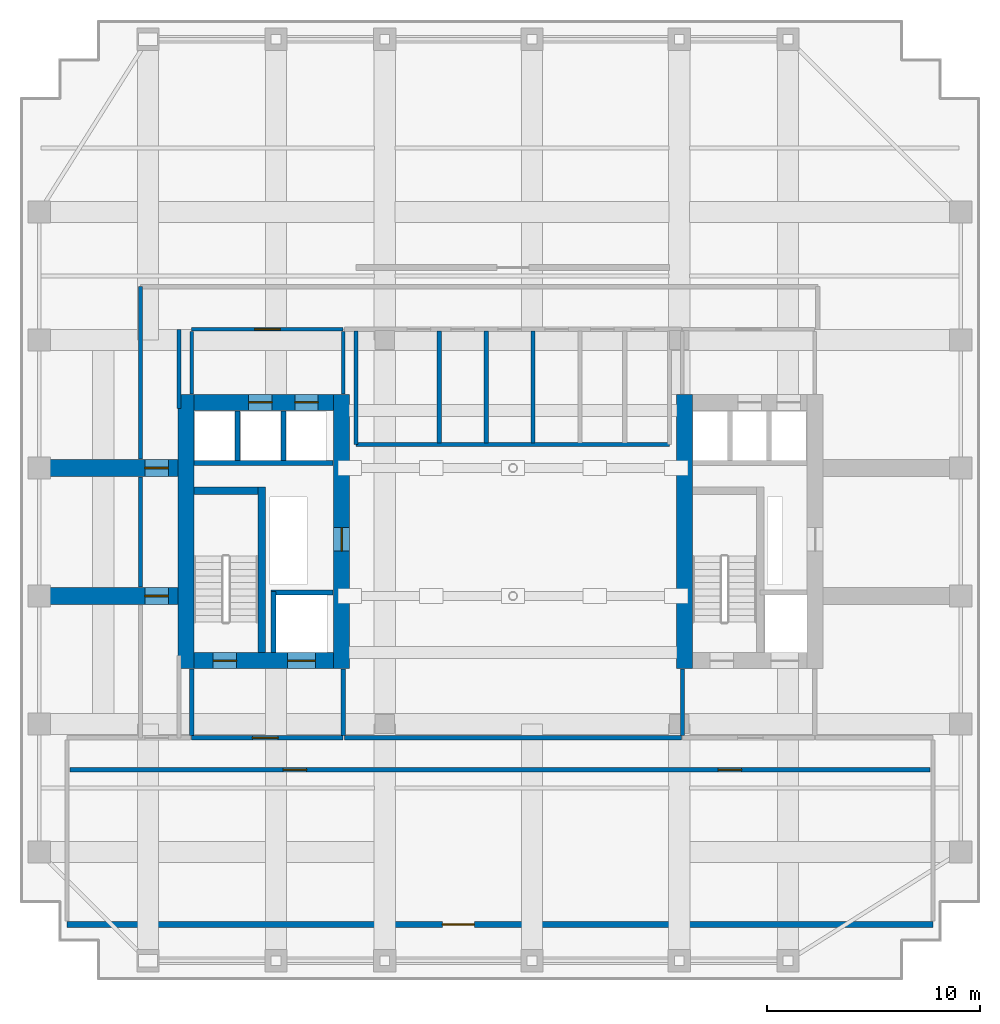
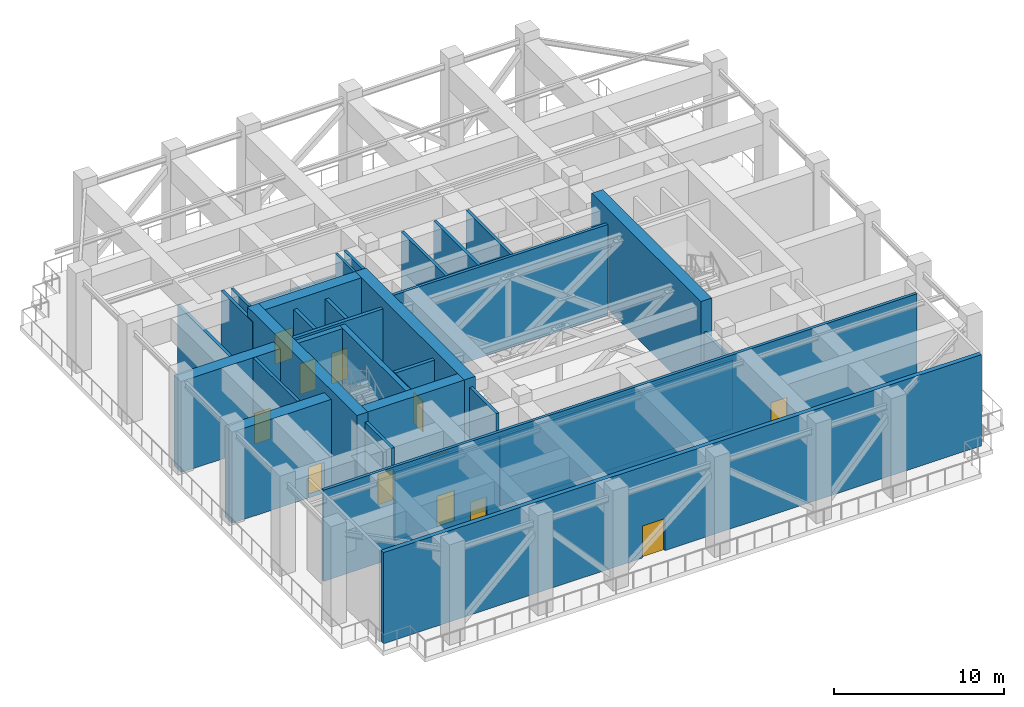
# One storey, part 4 of 10: 32 walls, 12 doors, 12 openings.
"""IFC4 building model written with IfcOpenShell, lengths in metres."""

from ifc_helpers import new_model, si_unit, direction, frame, frame_2d, origin, place, context, subcontext, project, spatial, rectangle, extrude, source, transform, mapped, material, layer, layer_set, type_object, element, fill, save


model = new_model("IFC4")

# Units and contexts
model_context = context("Model", 3, precision=1e-05, world=origin(), true_north=direction((0.0, 1.0)))
body_context = subcontext(model_context, "Body", "Model", "MODEL_VIEW")
ifc_project = project(units=[si_unit("LENGTHUNIT", "METRE"), si_unit("AREAUNIT", "SQUARE_METRE"), si_unit("VOLUMEUNIT", "CUBIC_METRE"), si_unit("PLANEANGLEUNIT", "RADIAN"), si_unit("MASSUNIT", "GRAM", prefix="KILO")], contexts=[model_context])

# Site, building, storey
site_placement = place(None, origin())
site = spatial("IfcSite", under=ifc_project, at=site_placement, CompositionType="ELEMENT")
building_placement = place(site_placement, origin())
building = spatial("IfcBuilding", under=site, at=building_placement, Name="Khoralis Quay Care Tower", CompositionType="ELEMENT")
storey_placement = place(building_placement, frame((0.0, 0.0, 148.5)))
storey = spatial("IfcBuildingStorey", under=building, at=storey_placement, Name="L39", CompositionType="ELEMENT", Elevation=148.5)

# Wall, opening, door
ifc_material_1 = material(Name="Gypsum plasterboard on acoustic metal stud")
ifc_layer_1 = layer(ifc_material_1, 0.199951171875)
ifc_layer_set_1 = layer_set([ifc_layer_1], Name="Gypsum plasterboard on acoustic metal stud")
wall_type_1 = type_object("IfcWallType", Name="WL-COMP-200", PredefinedType="PARTITIONING", material=ifc_layer_set_1)
wall_1_placement = place(storey_placement, frame((8.050048828125, 11.35009765625, 0.0), z_axis=(0.0, 0.0, 1.0), x_axis=(1.0, 0.0, 0.0)))
wall_1 = element("IfcWall", 1, at=wall_1_placement, inside=storey, type_object=wall_type_1, Name="L39 West Firefighting Lobby South Wall", PredefinedType="PARTITIONING", context=body_context, shape_type="SweptSolid", body=[
    extrude(rectangle(XDim=7.099853515625, YDim=0.199951171875, at=frame_2d((3.5498046875, 0.0))), origin(), (0.0, 0.0, 1.0), 4.949951171875),
])
opening_1_placement = place(wall_1_placement, frame((2.846435546875, 0.0, 0.0)))
opening_1 = element("IfcOpeningElement", 2, at=opening_1_placement, cuts=wall_1, Name="Opening FD1", PredefinedType="OPENING", context=body_context, shape_type="SweptSolid", body=[
    extrude(rectangle(XDim=1.199951171875, YDim=2.199951171875, at=frame_2d((0.60009765625, 1.10009765625))), frame((0.0, 0.10986328125, 0.0), z_axis=(0.0, -1.0, 0.0), x_axis=(1.0, 0.0, 0.0)), (0.0, 0.0, 1.0), 0.219970703125),
])
ifc_material_2 = material(Name="Fire-rated painted steel", Category="steel")
door_type_1 = type_object("IfcDoorType", Name="DR-FFL-1200X2200", OperationType="NOTDEFINED", PredefinedType="DOOR", material=ifc_material_2)
shared_shape_1 = source(origin(), body_context, "Body", "SweptSolid", [
    extrude(rectangle(XDim=1.199951171875, YDim=2.199951171875, at=frame_2d((0.60009765625, 1.10009765625))), frame((0.0, 0.02490234375, 0.0), z_axis=(0.0, -1.0, 0.0), x_axis=(1.0, 0.0, 0.0)), (0.0, 0.0, 1.0), 0.050048828125),
])
door_1_placement = place(opening_1_placement, origin())
door_1 = element("IfcDoor", 3, at=door_1_placement, inside=storey, type_object=door_type_1, Name="L39 West Firefighting Lobby Fire Door", OperationType="SINGLE_SWING_LEFT", OverallHeight=2.199951171875, OverallWidth=1.199951171875, PredefinedType="DOOR", context=body_context, shape_type="MappedRepresentation", body=[
    mapped(shared_shape_1, transform((0.0, 0.0, 0.0), scale=1.0)),
])
fill(opening_1, door_1)

# Walls
for number, where, z_axis, x_axis, name in (
    (4, (8.050048828125, 11.469970703125, 0.0), (0.0, 0.0, 1.0), (0.0, 1.0, 0.0), "L39 West Firefighting Lobby West Wall"),
    (5, (15.14990234375, 11.469970703125, 0.0), (0.0, 0.0, 1.0), (0.0, 1.0, 0.0), "L39 West Firefighting Lobby East Wall"),
):
    element("IfcWall", number, at=place(storey_placement, frame(where, z_axis=z_axis, x_axis=x_axis)), inside=storey, type_object=wall_type_1, Name=name, PredefinedType="PARTITIONING", context=body_context, shape_type="SweptSolid", body=[
        extrude(rectangle(XDim=3.110107421875, YDim=0.199951171875, at=frame_2d((1.55517578125, 0.0))), origin(), (0.0, 0.0, 1.0), 6.550048828125),
    ])
wall_2_placement = place(storey_placement, frame((31.050048828125, 11.469970703125, 0.0), z_axis=(0.0, 0.0, 1.0), x_axis=(0.0, 1.0, 0.0)))
element("IfcWall", 6, at=wall_2_placement, inside=storey, type_object=wall_type_1, Name="L39 East Firefighting Lobby West Wall", PredefinedType="PARTITIONING", context=body_context, shape_type="SweptSolid", body=[
    extrude(rectangle(XDim=3.110107421875, YDim=0.199951171875, at=frame_2d((1.55517578125, 0.0))), origin(), (0.0, 0.0, 1.0), 4.949951171875),
])
wall_3_placement = place(storey_placement, frame((15.199951171875, 11.35009765625, 0.0), z_axis=(0.0, 0.0, 1.0), x_axis=(1.0, 0.0, 0.0)))
element("IfcWall", 7, at=wall_3_placement, inside=storey, type_object=wall_type_1, Name="L39 Refuge Corridor Mid Wall", PredefinedType="PARTITIONING", context=body_context, shape_type="SweptSolid", body=[
    extrude(rectangle(XDim=15.800048828125, YDim=0.199951171875, at=frame_2d((7.89990234375, 0.0))), origin(), (0.0, 0.0, 1.0), 4.949951171875),
])

# Wall, openings, doors
wall_4_placement = place(storey_placement, frame((2.35009765625, 9.85009765625, 0.0), z_axis=(0.0, 0.0, 1.0), x_axis=(1.0, 0.0, 0.0)))
wall_4 = element("IfcWall", 8, at=wall_4_placement, inside=storey, type_object=wall_type_1, Name="L39 Refuge Corridor Wall", PredefinedType="PARTITIONING", context=body_context, shape_type="SweptSolid", body=[
    extrude(rectangle(XDim=40.2998046875, YDim=0.199951171875, at=frame_2d((20.14990234375, 0.0))), origin(), (0.0, 0.0, 1.0), 6.550048828125),
])
opening_2_placement = place(wall_4_placement, frame((9.97998046875, 0.0, 0.0)))
opening_2 = element("IfcOpeningElement", 9, at=opening_2_placement, cuts=wall_4, Name="Opening SD1", PredefinedType="OPENING", context=body_context, shape_type="SweptSolid", body=[
    extrude(rectangle(XDim=1.10009765625, YDim=2.199951171875, at=frame_2d((0.550048828125, 1.10009765625))), frame((0.0, 0.10986328125, 0.0), z_axis=(0.0, -1.0, 0.0), x_axis=(1.0, 0.0, 0.0)), (0.0, 0.0, 1.0), 0.219970703125),
])
opening_3_placement = place(wall_4_placement, frame((30.37451171875, 0.0, 0.0)))
opening_3 = element("IfcOpeningElement", 10, at=opening_3_placement, cuts=wall_4, Name="Opening SD1", PredefinedType="OPENING", context=body_context, shape_type="SweptSolid", body=[
    extrude(rectangle(XDim=1.10009765625, YDim=2.199951171875, at=frame_2d((0.550048828125, 1.10009765625))), frame((0.0, 0.10986328125, 0.0), z_axis=(0.0, -1.0, 0.0), x_axis=(1.0, 0.0, 0.0)), (0.0, 0.0, 1.0), 0.219970703125),
])
door_type_2 = type_object("IfcDoorType", Name="DR-STAIR-1100X2200", OperationType="NOTDEFINED", PredefinedType="DOOR", material=ifc_material_2)
shared_shape_2 = source(origin(), body_context, "Body", "SweptSolid", [
    extrude(rectangle(XDim=1.10009765625, YDim=2.199951171875, at=frame_2d((0.550048828125, 1.10009765625))), frame((0.0, 0.02490234375, 0.0), z_axis=(0.0, -1.0, 0.0), x_axis=(1.0, 0.0, 0.0)), (0.0, 0.0, 1.0), 0.050048828125),
])
door_2_placement = place(opening_2_placement, frame((1.10009765625, 0.0, 0.0), z_axis=(0.0, 0.0, 1.0), x_axis=(-1.0, 0.0, 0.0)))
door_2 = element("IfcDoor", 11, at=door_2_placement, inside=storey, type_object=door_type_2, Name="L39 Refuge Area West Fire Door", OperationType="SINGLE_SWING_LEFT", OverallHeight=2.199951171875, OverallWidth=1.10009765625, PredefinedType="DOOR", context=body_context, shape_type="MappedRepresentation", body=[
    mapped(shared_shape_2, transform((0.0, 0.0, 0.0), scale=1.0)),
])
fill(opening_2, door_2)
door_3_placement = place(opening_3_placement, frame((1.10009765625, 0.0, 0.0), z_axis=(0.0, 0.0, 1.0), x_axis=(-1.0, 0.0, 0.0)))
door_3 = element("IfcDoor", 12, at=door_3_placement, inside=storey, type_object=door_type_2, Name="L39 Refuge Area East Fire Door", OperationType="SINGLE_SWING_RIGHT", OverallHeight=2.199951171875, OverallWidth=1.10009765625, PredefinedType="DOOR", context=body_context, shape_type="MappedRepresentation", body=[
    mapped(shared_shape_2, transform((0.0, 0.0, 0.0), scale=1.0)),
])
fill(opening_3, door_3)

# Walls
wall_5_placement = place(storey_placement, frame((15.75, 25.10009765625, 0.0), z_axis=(0.0, 0.0, 1.0), x_axis=(1.0, 0.0, 0.0)))
element("IfcWall", 13, at=wall_5_placement, inside=storey, type_object=wall_type_1, Name="L39 Plant Bank South Wall", PredefinedType="PARTITIONING", context=body_context, shape_type="SweptSolid", body=[
    extrude(rectangle(XDim=14.699951171875, YDim=0.199951171875, at=frame_2d((7.35009765625, 0.0))), origin(), (0.0, 0.0, 1.0), 6.550048828125),
])
wall_6_placement = place(storey_placement, frame((15.75, 25.10009765625, 0.0), z_axis=(0.0, 0.0, 1.0), x_axis=(0.0, 1.0, 0.0)))
element("IfcWall", 14, at=wall_6_placement, inside=storey, type_object=wall_type_1, Name="L39 Plant Bank West Wall", PredefinedType="PARTITIONING", context=body_context, shape_type="SweptSolid", body=[
    extrude(rectangle(XDim=5.31982421875, YDim=0.199951171875, at=frame_2d((2.659912109375, 0.0))), origin(), (0.0, 0.0, 1.0), 6.550048828125),
])
for number, where, z_axis, x_axis, name in (
    (15, (19.64990234375, 25.179931640625, 0.0), (0.0, 0.0, 1.0), (0.0, 1.0, 0.0), "L39 Plant Room Divider 1"),
    (16, (21.85009765625, 25.179931640625, 0.0), (0.0, 0.0, 1.0), (0.0, 1.0, 0.0), "L39 Plant Room Divider 2"),
    (17, (24.050048828125, 25.179931640625, 0.0), (0.0, 0.0, 1.0), (0.0, 1.0, 0.0), "L39 Plant Room Divider 3"),
):
    element("IfcWall", number, at=place(storey_placement, frame(where, z_axis=z_axis, x_axis=x_axis)), inside=storey, type_object=wall_type_1, Name=name, PredefinedType="PARTITIONING", context=body_context, shape_type="SweptSolid", body=[
        extrude(rectangle(XDim=5.239990234375, YDim=0.199951171875, at=frame_2d((2.6201171875, 0.0))), origin(), (0.0, 0.0, 1.0), 6.550048828125),
    ])
wall_7_placement = place(storey_placement, frame((5.64990234375, 18.419921875, 0.0), z_axis=(0.0, 0.0, 1.0), x_axis=(0.0, 1.0, 0.0)))
element("IfcWall", 18, at=wall_7_placement, inside=storey, type_object=wall_type_1, Name="L39 West Refuge Link Wall 2", PredefinedType="PARTITIONING", context=body_context, shape_type="SweptSolid", body=[
    extrude(rectangle(XDim=5.16015625, YDim=0.199951171875, at=frame_2d((2.580078125, 0.0))), origin(), (0.0, 0.0, 1.0), 6.550048828125),
])
wall_8_placement = place(storey_placement, frame((5.64990234375, 24.419921875, 0.0), z_axis=(0.0, 0.0, 1.0), x_axis=(0.0, 1.0, 0.0)))
element("IfcWall", 19, at=wall_8_placement, inside=storey, type_object=wall_type_1, Name="L39 West Refuge Link Wall 3", PredefinedType="PARTITIONING", context=body_context, shape_type="SweptSolid", body=[
    extrude(rectangle(XDim=8.080078125, YDim=0.199951171875, at=frame_2d((4.0400390625, 0.0))), origin(), (0.0, 0.0, 1.0), 4.949951171875),
])
wall_9_placement = place(storey_placement, frame((7.449951171875, 26.800048828125, 0.0), z_axis=(0.0, 0.0, 1.0), x_axis=(0.0, 1.0, 0.0)))
element("IfcWall", 20, at=wall_9_placement, inside=storey, type_object=wall_type_1, Name="L39 West Refuge Link Inner Wall 3", PredefinedType="PARTITIONING", context=body_context, shape_type="SweptSolid", body=[
    extrude(rectangle(XDim=3.699951171875, YDim=0.199951171875, at=frame_2d((1.85009765625, 0.0))), origin(), (0.0, 0.0, 1.0), 6.550048828125),
])
ifc_material_3 = material(Name="Concrete C80/95", Category="concrete")
ifc_layer_2 = layer(ifc_material_3, 0.75)
ifc_layer_set_2 = layer_set([ifc_layer_2], Name="Concrete C80/95")
wall_type_2 = type_object("IfcWallType", Name="WL-CORE-750", PredefinedType="SHEAR", material=ifc_layer_set_2)
wall_10_placement = place(storey_placement, frame((7.77490234375, 14.60009765625, 0.0), z_axis=(0.0, 0.0, 1.0), x_axis=(0.0, 1.0, 0.0)))
element("IfcWall", 21, at=wall_10_placement, inside=storey, type_object=wall_type_2, Name="L39 WCORE West Shear Wall", PredefinedType="SHEAR", context=body_context, shape_type="SweptSolid", body=[
    extrude(rectangle(XDim=12.849853515625, YDim=0.75, at=frame_2d((6.4248046875, 0.0))), origin(), (0.0, 0.0, 1.0), 7.199951171875),
])

# Wall, opening, door
wall_11_placement = place(storey_placement, frame((15.074951171875, 14.60009765625, 0.0), z_axis=(0.0, 0.0, 1.0), x_axis=(0.0, 1.0, 0.0)))
wall_11 = element("IfcWall", 22, at=wall_11_placement, inside=storey, type_object=wall_type_2, Name="L39 WCORE East Shear Wall", PredefinedType="SHEAR", context=body_context, shape_type="SweptSolid", body=[
    extrude(rectangle(XDim=12.849853515625, YDim=0.75, at=frame_2d((6.4248046875, 0.0))), origin(), (0.0, 0.0, 1.0), 7.199951171875),
])
opening_4_placement = place(wall_11_placement, frame((5.5, 0.0, 0.0)))
opening_4 = element("IfcOpeningElement", 23, at=opening_4_placement, cuts=wall_11, Name="Opening SD1", PredefinedType="OPENING", context=body_context, shape_type="SweptSolid", body=[
    extrude(rectangle(XDim=1.10009765625, YDim=2.199951171875, at=frame_2d((0.550048828125, 1.10009765625))), frame((0.0, 0.385009765625, 0.0), z_axis=(0.0, -1.0, 0.0), x_axis=(1.0, 0.0, 0.0)), (0.0, 0.0, 1.0), 0.77001953125),
])
door_4_placement = place(opening_4_placement, origin())
door_4 = element("IfcDoor", 24, at=door_4_placement, inside=storey, type_object=door_type_2, Name="L39 West MEP Riser Door", OperationType="SINGLE_SWING_LEFT", OverallHeight=2.199951171875, OverallWidth=1.10009765625, PredefinedType="DOOR", context=body_context, shape_type="MappedRepresentation", body=[
    mapped(shared_shape_2, transform((0.0, 0.0, 0.0), scale=1.0)),
])
fill(opening_4, door_4)

# Wall, openings, doors
wall_12_placement = place(storey_placement, frame((8.14990234375, 14.97509765625, 0.0), z_axis=(0.0, 0.0, 1.0), x_axis=(1.0, 0.0, 0.0)))
wall_12 = element("IfcWall", 25, at=wall_12_placement, inside=storey, type_object=wall_type_2, Name="L39 WCORE South Shear Wall", PredefinedType="SHEAR", context=body_context, shape_type="SweptSolid", body=[
    extrude(rectangle(XDim=6.550048828125, YDim=0.75, at=frame_2d((3.27490234375, 0.0))), origin(), (0.0, 0.0, 1.0), 7.199951171875),
])
opening_5_placement = place(wall_12_placement, frame((0.89990234375, 0.0, 0.0)))
opening_5 = element("IfcOpeningElement", 26, at=opening_5_placement, cuts=wall_12, Name="Opening SD1", PredefinedType="OPENING", context=body_context, shape_type="SweptSolid", body=[
    extrude(rectangle(XDim=1.10009765625, YDim=2.199951171875, at=frame_2d((0.550048828125, 1.10009765625))), frame((0.0, 0.385009765625, 0.0), z_axis=(0.0, -1.0, 0.0), x_axis=(1.0, 0.0, 0.0)), (0.0, 0.0, 1.0), 0.77001953125),
])
opening_6_placement = place(wall_12_placement, frame((4.39990234375, 0.0, 0.0)))
opening_6 = element("IfcOpeningElement", 27, at=opening_6_placement, cuts=wall_12, Name="Opening LD2", PredefinedType="OPENING", context=body_context, shape_type="SweptSolid", body=[
    extrude(rectangle(XDim=1.300048828125, YDim=2.199951171875, at=frame_2d((0.64990234375, 1.10009765625))), frame((0.0, 0.385009765625, 0.0), z_axis=(0.0, -1.0, 0.0), x_axis=(1.0, 0.0, 0.0)), (0.0, 0.0, 1.0), 0.77001953125),
])
door_5_placement = place(opening_5_placement, origin())
door_5 = element("IfcDoor", 28, at=door_5_placement, inside=storey, type_object=door_type_2, Name="L39 Stair ST-T1 Fire Door", OperationType="SINGLE_SWING_LEFT", OverallHeight=2.199951171875, OverallWidth=1.10009765625, PredefinedType="DOOR", context=body_context, shape_type="MappedRepresentation", body=[
    mapped(shared_shape_2, transform((0.0, 0.0, 0.0), scale=1.0)),
])
fill(opening_5, door_5)
ifc_material_4 = material(Name="Brushed stainless steel", Category="steel")
door_type_3 = type_object("IfcDoorType", Name="DR-LIFT-1300X2200", OperationType="SLIDING_TO_RIGHT", PredefinedType="DOOR", material=ifc_material_4)
shared_shape_3 = source(origin(), body_context, "Body", "SweptSolid", [
    extrude(rectangle(XDim=1.300048828125, YDim=2.199951171875, at=frame_2d((0.64990234375, 1.10009765625))), frame((0.0, 0.02490234375, 0.0), z_axis=(0.0, -1.0, 0.0), x_axis=(1.0, 0.0, 0.0)), (0.0, 0.0, 1.0), 0.050048828125),
])
door_6_placement = place(opening_6_placement, origin())
door_6 = element("IfcDoor", 29, at=door_6_placement, inside=storey, type_object=door_type_3, Name="L39 Firefighting Lift FFL-1 Landing Door", OperationType="SLIDING_TO_RIGHT", OverallHeight=2.199951171875, OverallWidth=1.300048828125, PredefinedType="DOOR", context=body_context, shape_type="MappedRepresentation", body=[
    mapped(shared_shape_3, transform((0.0, 0.0, 0.0), scale=1.0)),
])
fill(opening_6, door_6)

wall_13_placement = place(storey_placement, frame((8.14990234375, 27.074951171875, 0.0), z_axis=(0.0, 0.0, 1.0), x_axis=(1.0, 0.0, 0.0)))
wall_13 = element("IfcWall", 30, at=wall_13_placement, inside=storey, type_object=wall_type_2, Name="L39 WCORE North Shear Wall", PredefinedType="SHEAR", context=body_context, shape_type="SweptSolid", body=[
    extrude(rectangle(XDim=6.550048828125, YDim=0.75, at=frame_2d((3.27490234375, 0.0))), origin(), (0.0, 0.0, 1.0), 7.199951171875),
])
opening_7_placement = place(wall_13_placement, frame((2.570068359375, 0.0, 0.0)))
opening_7 = element("IfcOpeningElement", 31, at=opening_7_placement, cuts=wall_13, Name="Opening LD1", PredefinedType="OPENING", context=body_context, shape_type="SweptSolid", body=[
    extrude(rectangle(XDim=1.10009765625, YDim=2.199951171875, at=frame_2d((0.550048828125, 1.10009765625))), frame((0.0, 0.385009765625, 0.0), z_axis=(0.0, -1.0, 0.0), x_axis=(1.0, 0.0, 0.0)), (0.0, 0.0, 1.0), 0.77001953125),
])
opening_8_placement = place(wall_13_placement, frame((4.72998046875, 0.0, 0.0)))
opening_8 = element("IfcOpeningElement", 32, at=opening_8_placement, cuts=wall_13, Name="Opening LD1", PredefinedType="OPENING", context=body_context, shape_type="SweptSolid", body=[
    extrude(rectangle(XDim=1.10009765625, YDim=2.199951171875, at=frame_2d((0.550048828125, 1.10009765625))), frame((0.0, 0.385009765625, 0.0), z_axis=(0.0, -1.0, 0.0), x_axis=(1.0, 0.0, 0.0)), (0.0, 0.0, 1.0), 0.77001953125),
])
door_type_4 = type_object("IfcDoorType", Name="DR-LIFT-1100X2200", OperationType="SLIDING_TO_LEFT", PredefinedType="DOOR", material=ifc_material_4)
shared_shape_4 = source(origin(), body_context, "Body", "SweptSolid", [
    extrude(rectangle(XDim=1.10009765625, YDim=2.199951171875, at=frame_2d((0.550048828125, 1.10009765625))), frame((0.0, 0.02490234375, 0.0), z_axis=(0.0, -1.0, 0.0), x_axis=(1.0, 0.0, 0.0)), (0.0, 0.0, 1.0), 0.050048828125),
])
door_7_placement = place(opening_7_placement, origin())
door_7 = element("IfcDoor", 33, at=door_7_placement, inside=storey, type_object=door_type_4, Name="L39 Lift PLM1 Landing Door", OperationType="SLIDING_TO_LEFT", OverallHeight=2.199951171875, OverallWidth=1.10009765625, PredefinedType="DOOR", context=body_context, shape_type="MappedRepresentation", body=[
    mapped(shared_shape_4, transform((0.0, 0.0, 0.0), scale=1.0)),
])
fill(opening_7, door_7)
door_8_placement = place(opening_8_placement, origin())
door_8 = element("IfcDoor", 34, at=door_8_placement, inside=storey, type_object=door_type_4, Name="L39 Lift PLH1 Landing Door", OperationType="SLIDING_TO_LEFT", OverallHeight=2.199951171875, OverallWidth=1.10009765625, PredefinedType="DOOR", context=body_context, shape_type="MappedRepresentation", body=[
    mapped(shared_shape_4, transform((0.0, 0.0, 0.0), scale=1.0)),
])
fill(opening_8, door_8)

# Wall
wall_14_placement = place(storey_placement, frame((31.14501953125, 14.60009765625, 0.0), z_axis=(0.0, 0.0, 1.0), x_axis=(0.0, 1.0, 0.0)))
element("IfcWall", 35, at=wall_14_placement, inside=storey, type_object=wall_type_2, Name="L39 ECORE West Shear Wall", PredefinedType="SHEAR", context=body_context, shape_type="SweptSolid", body=[
    extrude(rectangle(XDim=12.849853515625, YDim=0.75, at=frame_2d((6.4248046875, 0.0))), origin(), (0.0, 0.0, 1.0), 7.199951171875),
])

# Wall, opening, door
ifc_layer_3 = layer(ifc_material_1, 0.1650390625)
ifc_layer_set_3 = layer_set([ifc_layer_3], Name="Gypsum plasterboard on acoustic metal stud")
wall_type_3 = type_object("IfcWallType", Name="WL-CORR-165", PredefinedType="PARTITIONING", material=ifc_layer_set_3)
wall_15_placement = place(storey_placement, frame((8.050048828125, 30.5, 0.0), z_axis=(0.0, 0.0, 1.0), x_axis=(1.0, 0.0, 0.0)))
wall_15 = element("IfcWall", 36, at=wall_15_placement, inside=storey, type_object=wall_type_3, Name="L39 West Lift Lobby North Wall", PredefinedType="PARTITIONING", context=body_context, shape_type="SweptSolid", body=[
    extrude(rectangle(XDim=7.099853515625, YDim=0.1650390625, at=frame_2d((3.5498046875, 0.0))), origin(), (0.0, 0.0, 1.0), 4.949951171875),
])
opening_9_placement = place(wall_15_placement, frame((2.949951171875, 0.0, 0.0)))
opening_9 = element("IfcOpeningElement", 37, at=opening_9_placement, cuts=wall_15, Name="Opening FD1", PredefinedType="OPENING", context=body_context, shape_type="SweptSolid", body=[
    extrude(rectangle(XDim=1.199951171875, YDim=2.199951171875, at=frame_2d((0.60009765625, 1.10009765625))), frame((0.0, 0.092529296875, 0.0), z_axis=(0.0, -1.0, 0.0), x_axis=(1.0, 0.0, 0.0)), (0.0, 0.0, 1.0), 0.18505859375),
])
door_9_placement = place(opening_9_placement, origin())
door_9 = element("IfcDoor", 38, at=door_9_placement, inside=storey, type_object=door_type_1, Name="L39 West Lift Lobby Double Door", OperationType="DOUBLE_DOOR_SINGLE_SWING", OverallHeight=2.199951171875, OverallWidth=1.199951171875, PredefinedType="DOOR", context=body_context, shape_type="MappedRepresentation", body=[
    mapped(shared_shape_1, transform((0.0, 0.0, 0.0), scale=1.0)),
])
fill(opening_9, door_9)

# Walls
for number, where, z_axis, x_axis, name in (
    (39, (8.050048828125, 27.469970703125, 0.0), (0.0, 0.0, 1.0), (0.0, 1.0, 0.0), "L39 West Lift Lobby West Wall"),
    (40, (15.14990234375, 27.469970703125, 0.0), (0.0, 0.0, 1.0), (0.0, 1.0, 0.0), "L39 West Lift Lobby East Wall"),
):
    element("IfcWall", number, at=place(storey_placement, frame(where, z_axis=z_axis, x_axis=x_axis)), inside=storey, type_object=wall_type_3, Name=name, PredefinedType="PARTITIONING", context=body_context, shape_type="SweptSolid", body=[
        extrude(rectangle(XDim=2.929931640625, YDim=0.1650390625, at=frame_2d((1.46484375, 0.0))), origin(), (0.0, 0.0, 1.0), 6.550048828125),
    ])

# Wall, opening, door
ifc_material_5 = material(Name="Precast concrete C45/55", Category="concrete")
ifc_layer_4 = layer(ifc_material_5, 0.300048828125)
ifc_layer_set_4 = layer_set([ifc_layer_4], Name="Precast concrete C45/55")
wall_type_4 = type_object("IfcWallType", Name="WL-EXT-REF-300", PredefinedType="SOLIDWALL", material=ifc_layer_set_4)
wall_16_placement = place(storey_placement, frame((2.199951171875, 2.60009765625, 0.0), z_axis=(0.0, 0.0, 1.0), x_axis=(1.0, 0.0, 0.0)))
wall_16 = element("IfcWall", 41, at=wall_16_placement, inside=storey, type_object=wall_type_4, Name="L39 External Facade Wall WL-L39-REF-S", PredefinedType="SOLIDWALL", context=body_context, shape_type="SweptSolid", body=[
    extrude(rectangle(XDim=40.60009765625, YDim=0.300048828125, at=frame_2d((20.300048828125, 0.0))), origin(), (0.0, 0.0, 1.0), 6.550048828125),
])
opening_10_placement = place(wall_16_placement, frame((17.60009765625, 0.0, 0.0)))
opening_10 = element("IfcOpeningElement", 42, at=opening_10_placement, cuts=wall_16, Name="Opening TD1", PredefinedType="OPENING", context=body_context, shape_type="SweptSolid", body=[
    extrude(rectangle(XDim=1.5, YDim=2.300048828125, at=frame_2d((0.75, 1.14990234375))), frame((0.0, 0.16015625, 0.0), z_axis=(0.0, -1.0, 0.0), x_axis=(1.0, 0.0, 0.0)), (0.0, 0.0, 1.0), 0.320068359375),
])
ifc_material_6 = material(Name="Anodised aluminium and laminated safety glass", Category="aluminium")
door_type_5 = type_object("IfcDoorType", Name="DR-EXT-TERR-1500X2300", OperationType="NOTDEFINED", PredefinedType="DOOR", material=ifc_material_6)
shared_shape_5 = source(origin(), body_context, "Body", "SweptSolid", [
    extrude(rectangle(XDim=1.5, YDim=2.300048828125, at=frame_2d((0.75, 1.14990234375))), frame((0.0, 0.02490234375, 0.0), z_axis=(0.0, -1.0, 0.0), x_axis=(1.0, 0.0, 0.0)), (0.0, 0.0, 1.0), 0.050048828125),
])
door_10_placement = place(opening_10_placement, frame((1.5, 0.0, 0.0), z_axis=(0.0, 0.0, 1.0), x_axis=(-1.0, 0.0, 0.0)))
door_10 = element("IfcDoor", 43, at=door_10_placement, inside=storey, type_object=door_type_5, Name="L39 Wind-Slot Deck Door South", OperationType="DOUBLE_DOOR_SINGLE_SWING", OverallHeight=2.300048828125, OverallWidth=1.5, PredefinedType="DOOR", context=body_context, shape_type="MappedRepresentation", body=[
    mapped(shared_shape_5, transform((0.0, 0.0, 0.0), scale=1.0)),
])
fill(opening_10, door_10)

ifc_layer_5 = layer(ifc_material_3, 0.800048828125)
ifc_layer_set_5 = layer_set([ifc_layer_5], Name="Concrete C80/95")
wall_type_5 = type_object("IfcWallType", Name="WL-OUTRIGGER-800", PredefinedType="SOLIDWALL", material=ifc_layer_set_5)
wall_17_placement = place(storey_placement, frame((0.64990234375, 18.0, 0.0), z_axis=(0.0, 0.0, 1.0), x_axis=(1.0, 0.0, 0.0)))
wall_17 = element("IfcWall", 44, at=wall_17_placement, inside=storey, type_object=wall_type_5, Name="L39 West Outrigger Wall S", PredefinedType="SOLIDWALL", context=body_context, shape_type="SweptSolid", body=[
    extrude(rectangle(XDim=6.75, YDim=0.800048828125, at=frame_2d((3.375, 0.0))), origin(), (0.0, 0.0, 1.0), 6.550048828125),
])
opening_11_placement = place(wall_17_placement, frame((5.199951171875, 0.0, 0.0)))
opening_11 = element("IfcOpeningElement", 45, at=opening_11_placement, cuts=wall_17, Name="Opening SD1", PredefinedType="OPENING", context=body_context, shape_type="SweptSolid", body=[
    extrude(rectangle(XDim=1.10009765625, YDim=2.199951171875, at=frame_2d((0.550048828125, 1.10009765625))), frame((0.0, 0.41015625, 0.0), z_axis=(0.0, -1.0, 0.0), x_axis=(1.0, 0.0, 0.0)), (0.0, 0.0, 1.0), 0.820068359375),
])
door_11_placement = place(opening_11_placement, frame((1.10009765625, 0.0, 0.0), z_axis=(0.0, 0.0, 1.0), x_axis=(-1.0, 0.0, 0.0)))
door_11 = element("IfcDoor", 46, at=door_11_placement, inside=storey, type_object=door_type_2, Name="L39 West Outrigger South Egress Fire Door", OperationType="SINGLE_SWING_LEFT", OverallHeight=2.199951171875, OverallWidth=1.10009765625, PredefinedType="DOOR", context=body_context, shape_type="MappedRepresentation", body=[
    mapped(shared_shape_2, transform((0.0, 0.0, 0.0), scale=1.0)),
])
fill(opening_11, door_11)

wall_18_placement = place(storey_placement, frame((0.64990234375, 24.0, 0.0), z_axis=(0.0, 0.0, 1.0), x_axis=(1.0, 0.0, 0.0)))
wall_18 = element("IfcWall", 47, at=wall_18_placement, inside=storey, type_object=wall_type_5, Name="L39 West Outrigger Wall N", PredefinedType="SOLIDWALL", context=body_context, shape_type="SweptSolid", body=[
    extrude(rectangle(XDim=6.75, YDim=0.800048828125, at=frame_2d((3.375, 0.0))), origin(), (0.0, 0.0, 1.0), 6.550048828125),
])
opening_12_placement = place(wall_18_placement, frame((5.199951171875, 0.0, 0.0)))
opening_12 = element("IfcOpeningElement", 48, at=opening_12_placement, cuts=wall_18, Name="Opening SD1", PredefinedType="OPENING", context=body_context, shape_type="SweptSolid", body=[
    extrude(rectangle(XDim=1.10009765625, YDim=2.199951171875, at=frame_2d((0.550048828125, 1.10009765625))), frame((0.0, 0.41015625, 0.0), z_axis=(0.0, -1.0, 0.0), x_axis=(1.0, 0.0, 0.0)), (0.0, 0.0, 1.0), 0.820068359375),
])
door_12_placement = place(opening_12_placement, origin())
door_12 = element("IfcDoor", 49, at=door_12_placement, inside=storey, type_object=door_type_2, Name="L39 West Outrigger North Egress Fire Door", OperationType="SINGLE_SWING_RIGHT", OverallHeight=2.199951171875, OverallWidth=1.10009765625, PredefinedType="DOOR", context=body_context, shape_type="MappedRepresentation", body=[
    mapped(shared_shape_2, transform((0.0, 0.0, 0.0), scale=1.0)),
])
fill(opening_12, door_12)

# Walls
ifc_material_7 = material(Name="Concrete C40/50", Category="concrete")
ifc_layer_6 = layer(ifc_material_7, 0.35009765625)
ifc_layer_set_6 = layer_set([ifc_layer_6], Name="Concrete C40/50")
wall_type_6 = type_object("IfcWallType", Name="WL-SC-CORE-350", PredefinedType="SHEAR", material=ifc_layer_set_6)
wall_19_placement = place(storey_placement, frame((11.324951171875, 15.35009765625, 0.0), z_axis=(0.0, 0.0, 1.0), x_axis=(0.0, 1.0, 0.0)))
element("IfcWall", 50, at=wall_19_placement, inside=storey, type_object=wall_type_6, Name="L39 Stair ST-T1 Shear Baffle Wall East", PredefinedType="SHEAR", context=body_context, shape_type="SweptSolid", body=[
    extrude(rectangle(XDim=7.75, YDim=0.35009765625, at=frame_2d((3.875, 0.0))), origin(), (0.0, 0.0, 1.0), 7.199951171875),
])
wall_20_placement = place(storey_placement, frame((8.14990234375, 22.925048828125, 0.0), z_axis=(0.0, 0.0, 1.0), x_axis=(1.0, 0.0, 0.0)))
element("IfcWall", 51, at=wall_20_placement, inside=storey, type_object=wall_type_6, Name="L39 Stair ST-T1 Shear Baffle Wall North", PredefinedType="SHEAR", context=body_context, shape_type="SweptSolid", body=[
    extrude(rectangle(XDim=3.0, YDim=0.35009765625, at=frame_2d((1.5, 0.0))), origin(), (0.0, 0.0, 1.0), 7.199951171875),
])
ifc_layer_7 = layer(ifc_material_1, 0.239990234375)
ifc_layer_set_7 = layer_set([ifc_layer_7], Name="Gypsum plasterboard on acoustic metal stud")
wall_type_7 = type_object("IfcWallType", Name="WL-SHAFT-240", PredefinedType="PARTITIONING", material=ifc_layer_set_7)
wall_21_placement = place(storey_placement, frame((11.8798828125, 15.35009765625, 0.0), z_axis=(0.0, 0.0, 1.0), x_axis=(0.0, 1.0, 0.0)))
element("IfcWall", 52, at=wall_21_placement, inside=storey, type_object=wall_type_7, Name="L39 FFL-1 Shaft Wall West", PredefinedType="PARTITIONING", context=body_context, shape_type="SweptSolid", body=[
    extrude(rectangle(XDim=2.849853515625, YDim=0.239990234375, at=frame_2d((1.4248046875, 0.0))), origin(), (0.0, 0.0, 1.0), 6.550048828125),
])
wall_22_placement = place(storey_placement, frame((11.760009765625, 18.169921875, 0.0), z_axis=(0.0, 0.0, 1.0), x_axis=(1.0, 0.0, 0.0)))
element("IfcWall", 53, at=wall_22_placement, inside=storey, type_object=wall_type_7, Name="L39 FFL-1 Shaft Wall North", PredefinedType="PARTITIONING", context=body_context, shape_type="SweptSolid", body=[
    extrude(rectangle(XDim=2.919921875, YDim=0.239990234375, at=frame_2d((1.4599609375, 0.0))), origin(), (0.0, 0.0, 1.0), 6.550048828125),
])
wall_23_placement = place(storey_placement, frame((8.14990234375, 24.22998046875, 0.0), z_axis=(0.0, 0.0, 1.0), x_axis=(1.0, 0.0, 0.0)))
element("IfcWall", 54, at=wall_23_placement, inside=storey, type_object=wall_type_7, Name="L39 West Passenger Shaft South Wall", PredefinedType="PARTITIONING", context=body_context, shape_type="SweptSolid", body=[
    extrude(rectangle(XDim=6.530029296875, YDim=0.239990234375, at=frame_2d((3.26513671875, 0.0))), origin(), (0.0, 0.0, 1.0), 6.550048828125),
])
for number, where, z_axis, x_axis, name in (
    (55, (10.199951171875, 24.360107421875, 0.0), (0.0, 0.0, 1.0), (0.0, 1.0, 0.0), "L39 West Shaft Divider 1"),
    (56, (12.35009765625, 24.360107421875, 0.0), (0.0, 0.0, 1.0), (0.0, 1.0, 0.0), "L39 West Shaft Divider 2"),
):
    element("IfcWall", number, at=place(storey_placement, frame(where, z_axis=z_axis, x_axis=x_axis)), inside=storey, type_object=wall_type_7, Name=name, PredefinedType="PARTITIONING", context=body_context, shape_type="SweptSolid", body=[
        extrude(rectangle(XDim=2.31982421875, YDim=0.239990234375, at=frame_2d((1.159912109375, 0.0))), origin(), (0.0, 0.0, 1.0), 6.550048828125),
    ])

save(model, "model.ifc")
